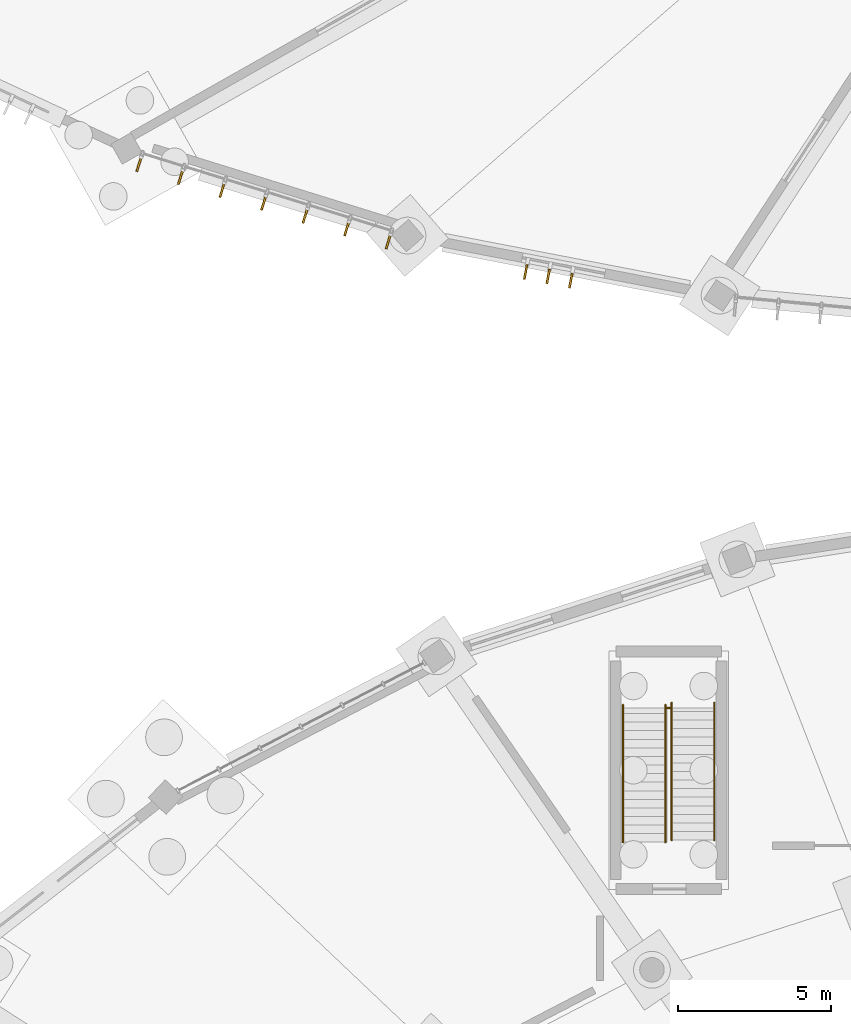
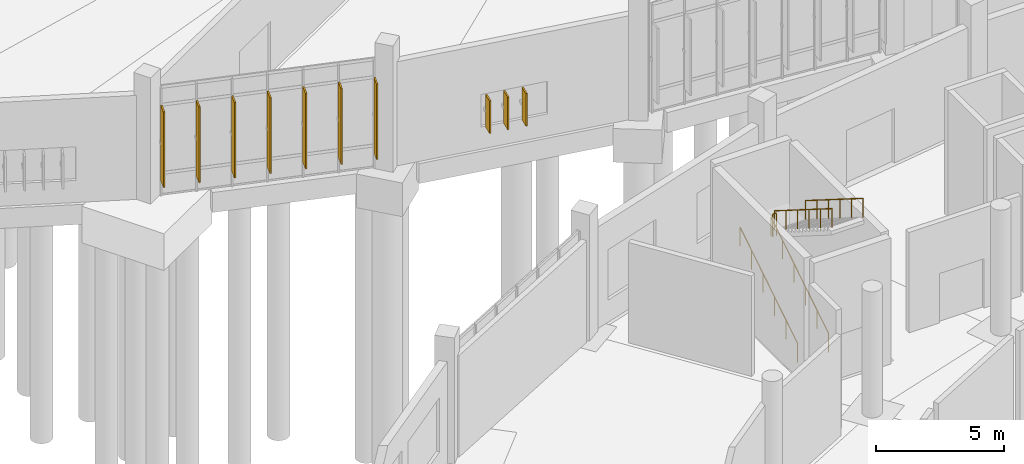
# One storey, part 118 of 140: 10 shading devices, 5 railings.
"""IFC4 building model written with IfcOpenShell, lengths in metres."""

import ifcopenshell
import ifcopenshell.guid

model = None  # the IFC model being written
_history = None  # IfcOwnerHistory: only IFC2X3 demands one
_inside = {}  # id of a spatial element -> (the spatial element, [elements in it])
_under = {}  # id of a project, library or spatial element -> (it, [spatial elements below it])
_declared = {}  # id of a project -> (the project, [libraries it declares])
_typed = {}  # id of a type object -> (the type object, [elements of that type])
_made_of = {}  # id of a material, layer set ... -> (it, [elements and type objects made of it])


def new_model(schema):
    """Start an empty IFC model of exactly this schema.

    Asked for "IFC4X3", IfcOpenShell would pick the latest addendum, in which some entities
    have other attributes; the version numbers below select the first issue.
    IFC2X3 requires an IfcOwnerHistory on every rooted entity: one is made here for all.
    """
    global model, _history
    if schema == "IFC4X3":
        model = ifcopenshell.file(schema_version=(4, 3, 0, 0))
    else:
        model = ifcopenshell.file(schema=schema)
    _inside.clear()
    _under.clear()
    _declared.clear()
    _typed.clear()
    _made_of.clear()
    _history = None
    if model.schema == "IFC2X3":
        org = make("IfcOrganization", Name="unknown")
        user = make(
            "IfcPersonAndOrganization",
            ThePerson=make("IfcPerson", FamilyName="unknown"),
            TheOrganization=org,
        )
        app = make(
            "IfcApplication",
            ApplicationDeveloper=org,
            Version="unknown",
            ApplicationFullName="unknown",
            ApplicationIdentifier="unknown",
        )
        _history = make(
            "IfcOwnerHistory",
            OwningUser=user,
            OwningApplication=app,
            ChangeAction="ADDED",
            CreationDate=0,
        )
    return model


def make(cls, **values):
    """One entity of the class cls with the attributes given. An attribute that is None is left unset."""
    return model.create_entity(
        cls, **{name: value for name, value in values.items() if value is not None}
    )


def rooted(cls, **values):
    """An entity with a GlobalId (a new one), such as an element, a storey or a relation."""
    return make(cls, GlobalId=ifcopenshell.guid.new(), OwnerHistory=_history, **values)


def si_unit(unit_type, name, prefix=None):
    """IfcSIUnit, for example si_unit("LENGTHUNIT", "METRE", prefix="MILLI")."""
    return make("IfcSIUnit", UnitType=unit_type, Prefix=prefix, Name=name)


def assignment(units):
    """IfcUnitAssignment: the units of a project."""
    return None if units is None else make("IfcUnitAssignment", Units=units)


def point(xyz):
    """IfcCartesianPoint."""
    return None if xyz is None else make("IfcCartesianPoint", Coordinates=xyz)


def direction(xyz):
    """IfcDirection."""
    return None if xyz is None else make("IfcDirection", DirectionRatios=xyz)


def frame(location, z_axis=None, x_axis=None):
    """IfcAxis2Placement3D, a coordinate frame: its origin and axes. An axis left out is left unset."""
    return make(
        "IfcAxis2Placement3D",
        Location=point(location),
        Axis=direction(z_axis),
        RefDirection=direction(x_axis),
    )


def frame_2d(location, x_axis=None):
    """IfcAxis2Placement2D, a coordinate frame in the plane: its origin and x axis."""
    return make(
        "IfcAxis2Placement2D", Location=point(location), RefDirection=direction(x_axis)
    )


def origin():
    """The frame at (0, 0, 0) with its axes left unset."""
    return frame((0.0, 0.0, 0.0))


def origin_2d():
    """The frame at (0, 0) in the plane with its x axis left unset."""
    return frame_2d((0.0, 0.0))


def place(relative_to, where):
    """IfcLocalPlacement: puts the frame where relative to a parent placement (None: the world)."""
    return make(
        "IfcLocalPlacement", PlacementRelTo=relative_to, RelativePlacement=where
    )


def context(
    kind, dimensions, precision=None, world=None, true_north=None, identifier=None
):
    """IfcGeometricRepresentationContext, for example the 3D "Model" context."""
    return make(
        "IfcGeometricRepresentationContext",
        ContextIdentifier=identifier,
        ContextType=kind,
        CoordinateSpaceDimension=dimensions,
        Precision=precision,
        WorldCoordinateSystem=world,
        TrueNorth=true_north,
    )


def subcontext(parent, identifier, kind, view, scale=None):
    """IfcGeometricRepresentationSubContext, for example "Body" below "Model"."""
    return make(
        "IfcGeometricRepresentationSubContext",
        ContextIdentifier=identifier,
        ContextType=kind,
        ParentContext=parent,
        TargetScale=scale,
        TargetView=view,
    )


def project(units=None, contexts=None):
    """IfcProject with its units and contexts."""
    return rooted(
        "IfcProject",
        Name="project",
        RepresentationContexts=contexts,
        UnitsInContext=assignment(units),
    )


def spatial(cls, under=None, at=None, **own):
    """A site, building, storey or space (cls), placed at a placement, below another one or the project."""
    s = rooted(cls, ObjectPlacement=at, **own)
    if under is not None:
        _under.setdefault(under.id(), (under, []))[1].append(s)
    return s


def profile(cls, at=None, kind="AREA", **sizes):
    """A parametric profile (cls). Its sizes go by their IFC names, for example OverallWidth=200.0."""
    return make(cls, ProfileType=kind, Position=at, **sizes)


def rectangle(**sizes):
    """IfcRectangleProfileDef."""
    return profile("IfcRectangleProfileDef", **sizes)


def circle(**sizes):
    """IfcCircleProfileDef."""
    return profile("IfcCircleProfileDef", **sizes)


def extrude(swept, where, along, depth):
    """IfcExtrudedAreaSolid: the profile swept, set in the frame where, extruded along a direction by depth."""
    return make(
        "IfcExtrudedAreaSolid",
        SweptArea=swept,
        Position=where,
        ExtrudedDirection=direction(along),
        Depth=depth,
    )


def shape(context_of_items, identifier, shape_type, items):
    """IfcShapeRepresentation: the items that make up one representation, for example the "Body"."""
    return make(
        "IfcShapeRepresentation",
        ContextOfItems=context_of_items,
        RepresentationIdentifier=identifier,
        RepresentationType=shape_type,
        Items=items,
    )


def material(Name=None, Category=None):
    """IfcMaterial."""
    return make("IfcMaterial", Name=Name, Category=Category)


def layer(
    of_material, thickness, ventilated=None, Name=None, Category=None, Priority=None
):
    """IfcMaterialLayer: one layer of a wall or slab, of a material (None: an air gap)."""
    return make(
        "IfcMaterialLayer",
        Material=of_material,
        LayerThickness=thickness,
        IsVentilated=ventilated,
        Name=Name,
        Category=Category,
        Priority=Priority,
    )


def layer_set(layers, Name=None):
    """IfcMaterialLayerSet."""
    return make("IfcMaterialLayerSet", MaterialLayers=layers, LayerSetName=Name)


def made_of(thing, what):
    """Note that an element or type object is made of a material, layer set ...; save() writes the relation."""
    if what is not None:
        _made_of.setdefault(what.id(), (what, []))[1].append(thing)
    return thing


def type_object(cls, material=None, **own):
    """A type object (cls), such as IfcWallType, which elements share."""
    return made_of(rooted(cls, **own), material)


def element(
    cls,
    number,
    at=None,
    inside=None,
    cuts=None,
    type_object=None,
    material=None,
    context=None,
    identifier="Body",
    shape_type=None,
    held_by="IfcProductDefinitionShape",
    body=None,
    shapes=None,
    **own,
):
    """One element of the class cls, such as IfcWall. Its Tag is "e" and its number.

    at: its placement. inside: the storey or other place that contains it. cuts: it is an
    opening in that element (IfcRelVoidsElement). A single representation is given by context,
    identifier, shape_type and body (its items); several are given by shapes. held_by: the class
    of the entity that holds the representations. save() writes the other relations.
    """
    e = rooted(cls, Tag="e%d" % number, ObjectPlacement=at, **own)
    if body is not None:
        shapes = [shape(context, identifier, shape_type, body)]
    if shapes is not None:
        e.Representation = make(held_by, Representations=shapes)
    if inside is not None:
        _inside.setdefault(inside.id(), (inside, []))[1].append(e)
    if cuts is not None:
        rooted(
            "IfcRelVoidsElement", RelatingBuildingElement=cuts, RelatedOpeningElement=e
        )
    if type_object is not None:
        _typed.setdefault(type_object.id(), (type_object, []))[1].append(e)
    return made_of(e, material)


def aggregate(whole, parts):
    """IfcRelAggregates: a whole, such as a stair, and the parts it consists of."""
    return rooted("IfcRelAggregates", RelatingObject=whole, RelatedObjects=parts)


def save(model, path):
    """Write the relations noted so far, then the file.

    IfcRelAggregates (storeys below a building ...), IfcRelContainedInSpatialStructure (elements
    in a storey), IfcRelDefinesByType, IfcRelAssociatesMaterial and IfcRelDeclares: one each for
    every whole, place, type object, material and project.
    """
    for whole, parts in _under.values():
        aggregate(whole, parts)
    for where, things in _inside.values():
        rooted(
            "IfcRelContainedInSpatialStructure",
            RelatedElements=things,
            RelatingStructure=where,
        )
    for kind, things in _typed.values():
        rooted("IfcRelDefinesByType", RelatedObjects=things, RelatingType=kind)
    for what, things in _made_of.values():
        rooted("IfcRelAssociatesMaterial", RelatedObjects=things, RelatingMaterial=what)
    for by, libraries in _declared.values():
        rooted("IfcRelDeclares", RelatingContext=by, RelatedDefinitions=libraries)
    model.write(path)


model = new_model("IFC4")

# Units and contexts
model_context = context("Model", 3, precision=1e-05, world=origin(), true_north=direction((0.0, 1.0)))
body_context = subcontext(model_context, "Body", "Model", "MODEL_VIEW")
ifc_project = project(units=[si_unit("LENGTHUNIT", "METRE"), si_unit("AREAUNIT", "SQUARE_METRE"), si_unit("VOLUMEUNIT", "CUBIC_METRE"), si_unit("PLANEANGLEUNIT", "RADIAN"), si_unit("MASSUNIT", "GRAM", prefix="KILO")], contexts=[model_context])

# Site, building, storey
site_placement = place(None, origin())
site = spatial("IfcSite", under=ifc_project, at=site_placement, CompositionType="ELEMENT")
building_placement = place(site_placement, origin())
building = spatial("IfcBuilding", under=site, at=building_placement, Name="Corvandel Quay Wholesale Market", CompositionType="ELEMENT")
storey_placement = place(building_placement, origin())
storey = spatial("IfcBuildingStorey", under=building, at=storey_placement, Name="L00", CompositionType="ELEMENT", Elevation=0.0)

# Railings
ifc_material_1 = material(Name="Painted galvanised tubular steel", Category="steel")
ifc_layer_1 = layer(ifc_material_1, 0.054931640625)
ifc_layer_set_1 = layer_set([ifc_layer_1], Name="Painted galvanised tubular steel")
railing_type_1 = type_object("IfcRailingType", Name="Stairwell Inner Guard Railing GR02 1100mm", PredefinedType="GUARDRAIL", material=ifc_layer_set_1)
railing_placement = place(storey_placement, frame((95.919921875, 77.530029296875, 3.0)))
element("IfcRailing", 1, at=railing_placement, inside=storey, type_object=railing_type_1, Name="Stair Landing Well Guard 0006", PredefinedType="GUARDRAIL", context=body_context, shape_type="SweptSolid", body=[
    extrude(circle(Radius=0.02392578125, at=origin_2d()), frame((0.0, 0.0, 1.076171875), z_axis=(1.0, 0.0, 0.0), x_axis=(0.0, 1.0, 0.0)), (0.0, 0.0, 1.0), 0.16015625),
    extrude(circle(Radius=0.02099609375, at=origin_2d()), origin(), (0.0, 0.0, 1.0), 1.052001953125),
    extrude(circle(Radius=0.02099609375, at=origin_2d()), frame((0.16015625, 0.0, 0.0)), (0.0, 0.0, 1.0), 1.052001953125),
])
ifc_material_2 = material(Name="Brushed austenitic stainless steel Grade 316", Category="steel")
ifc_layer_2 = layer(ifc_material_2, 0.048095703125)
ifc_layer_set_2 = layer_set([ifc_layer_2], Name="Brushed austenitic stainless steel Grade 316")
railing_type_2 = type_object("IfcRailingType", Name="Tubular Stainless Stair Handrail HR01 915mm", PredefinedType="HANDRAIL", material=ifc_layer_set_2)
for number, where, name in (
    (2, (94.510009765625, 73.14990234375, 0.176513671875), "Stair Handrail 0002"),
    (3, (95.89990234375, 73.14990234375, 0.176513671875), "Stair Handrail 0003"),
):
    element("IfcRailing", number, at=place(storey_placement, frame(where)), inside=storey, type_object=railing_type_2, Name=name, PredefinedType="HANDRAIL", context=body_context, shape_type="SweptSolid", body=[
        extrude(circle(Radius=0.02392578125, at=origin_2d()), frame((0.0, 0.0, 0.89111328125), z_axis=(0.0, 0.845997938375, 0.533186166611), x_axis=(-1.0, 0.0, 0.0)), (0.0, 0.0, 1.0), 5.29541015625),
        extrude(circle(Radius=0.02099609375, at=origin_2d()), origin(), (0.0, 0.0, 1.0), 0.866943359375),
        extrude(circle(Radius=0.02099609375, at=origin_2d()), frame((0.0, 0.89599609375, 0.564697265625)), (0.0, 0.0, 1.0), 0.866943359375),
        extrude(circle(Radius=0.02099609375, at=origin_2d()), frame((0.0, 1.7919921875, 1.12939453125)), (0.0, 0.0, 1.0), 0.866943359375),
        extrude(circle(Radius=0.02099609375, at=origin_2d()), frame((0.0, 2.68798828125, 1.694091796875)), (0.0, 0.0, 1.0), 0.866943359375),
        extrude(circle(Radius=0.02099609375, at=origin_2d()), frame((0.0, 3.583984375, 2.2587890625)), (0.0, 0.0, 1.0), 0.866943359375),
        extrude(circle(Radius=0.02099609375, at=origin_2d()), frame((0.0, 4.47998046875, 2.823486328125)), (0.0, 0.0, 1.0), 0.866943359375),
    ])
for number, where, name in (
    (4, (96.10009765625, 77.699951171875, 3.176513671875), "Stair Handrail 0004"),
    (5, (97.489990234375, 77.699951171875, 3.176513671875), "Stair Handrail 0005"),
):
    element("IfcRailing", number, at=place(storey_placement, frame(where)), inside=storey, type_object=railing_type_2, Name=name, PredefinedType="HANDRAIL", context=body_context, shape_type="SweptSolid", body=[
        extrude(circle(Radius=0.02392578125, at=origin_2d()), frame((0.0, 0.0, 0.89111328125), z_axis=(0.0, -0.845997938375, 0.533186166611), x_axis=(1.0, 0.0, 0.0)), (0.0, 0.0, 1.0), 5.29541015625),
        extrude(circle(Radius=0.02099609375, at=origin_2d()), origin(), (0.0, 0.0, 1.0), 0.866943359375),
        extrude(circle(Radius=0.02099609375, at=origin_2d()), frame((0.0, -0.89599609375, 0.564697265625)), (0.0, 0.0, 1.0), 0.866943359375),
        extrude(circle(Radius=0.02099609375, at=origin_2d()), frame((0.0, -1.7919921875, 1.12939453125)), (0.0, 0.0, 1.0), 0.866943359375),
        extrude(circle(Radius=0.02099609375, at=origin_2d()), frame((0.0, -2.68798828125, 1.694091796875)), (0.0, 0.0, 1.0), 0.866943359375),
        extrude(circle(Radius=0.02099609375, at=origin_2d()), frame((0.0, -3.583984375, 2.2587890625)), (0.0, 0.0, 1.0), 0.866943359375),
        extrude(circle(Radius=0.02099609375, at=origin_2d()), frame((0.0, -4.47998046875, 2.823486328125)), (0.0, 0.0, 1.0), 0.866943359375),
    ])

# Shading devices
ifc_material_3 = material(Name="Bronze anodised extruded aluminium 6063-T6", Category="aluminium")
shading_device_type = type_object("IfcShadingDeviceType", Name="Vertical Anodised Bronze Solar Fin FN01 480mm", PredefinedType="JALOUSIE", material=ifc_material_3)
for number, where, z_axis, x_axis, name in (
    (6, (78.705078125, 95.281005859375, 0.77490234375), (0.0, 0.0, 1.0), (0.296208192067, 0.955123398809, 0.0), "Solar Fin 0303"),
    (7, (80.06201171875, 94.860107421875, 0.77490234375), (0.0, 0.0, 1.0), (0.296208192067, 0.955123398809, 0.0), "Solar Fin 0304"),
    (8, (81.418701171875, 94.439453125, 0.77490234375), (0.0, 0.0, 1.0), (0.296208192067, 0.955123398809, 0.0), "Solar Fin 0305"),
    (9, (82.775390625, 94.0185546875, 0.77490234375), (0.0, 0.0, 1.0), (0.296208192067, 0.955123398809, 0.0), "Solar Fin 0306"),
    (10, (84.132080078125, 93.59765625, 0.77490234375), (0.0, 0.0, 1.0), (0.296208192067, 0.955123398809, 0.0), "Solar Fin 0307"),
    (11, (85.489013671875, 93.177001953125, 0.77490234375), (0.0, 0.0, 1.0), (0.296208192067, 0.955123398809, 0.0), "Solar Fin 0308"),
    (12, (86.845703125, 92.756103515625, 0.77490234375), (0.0, 0.0, 1.0), (0.296208192067, 0.955123398809, 0.0), "Solar Fin 0309"),
):
    element("IfcShadingDevice", number, at=place(storey_placement, frame(where, z_axis=z_axis, x_axis=x_axis)), inside=storey, type_object=shading_device_type, Name=name, PredefinedType="JALOUSIE", context=body_context, shape_type="SweptSolid", body=[
        extrude(rectangle(XDim=0.47998046875, YDim=0.06494140625, at=origin_2d()), origin(), (0.0, 0.0, 1.0), 3.60009765625),
    ])
for number, where, z_axis, x_axis, name in (
    (13, (91.332763671875, 91.768798828125, 1.0498046875), (0.0, 0.0, 1.0), (0.188924055984, 0.981991701121, 0.0), "Solar Fin 0312"),
    (14, (92.069091796875, 91.627197265625, 1.0498046875), (0.0, 0.0, 1.0), (0.188924055984, 0.981991701121, 0.0), "Solar Fin 0313"),
    (15, (92.8056640625, 91.485595703125, 1.0498046875), (0.0, 0.0, 1.0), (0.188924055984, 0.981991701121, 0.0), "Solar Fin 0314"),
):
    element("IfcShadingDevice", number, at=place(storey_placement, frame(where, z_axis=z_axis, x_axis=x_axis)), inside=storey, type_object=shading_device_type, Name=name, PredefinedType="JALOUSIE", context=body_context, shape_type="SweptSolid", body=[
        extrude(rectangle(XDim=0.47998046875, YDim=0.06494140625, at=origin_2d()), origin(), (0.0, 0.0, 1.0), 1.550048828125),
    ])

save(model, "model.ifc")
